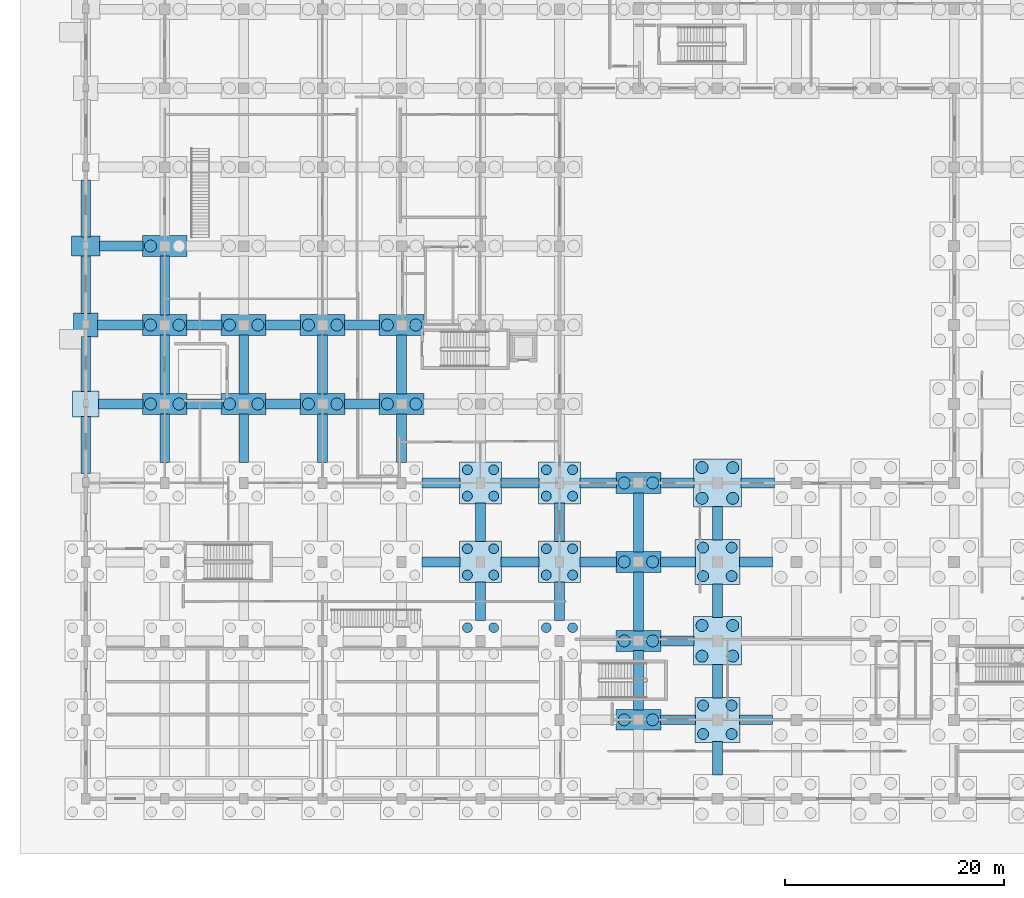
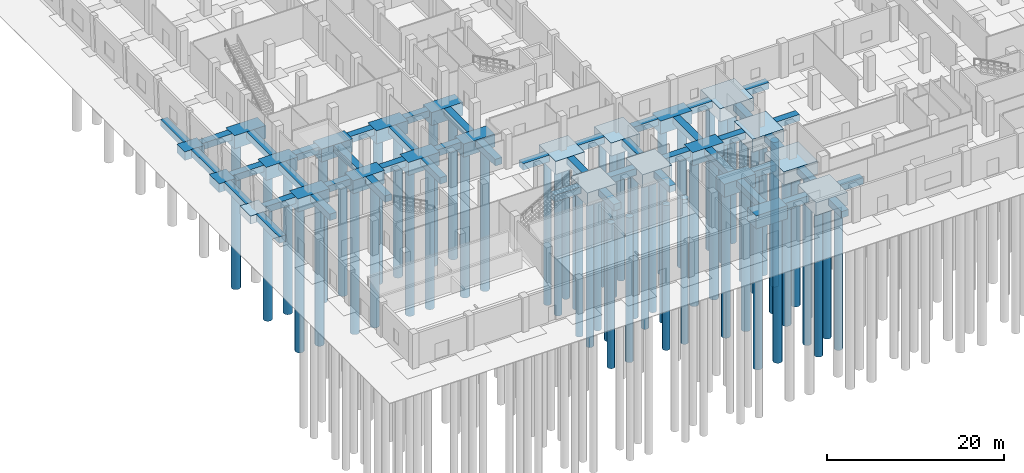
# One storey, part 2 of 48: 70 footings, 61 piles.
"""IFC4 building model written with IfcOpenShell, lengths in metres."""

import ifcopenshell
import ifcopenshell.guid

model = None  # the IFC model being written
_history = None  # IfcOwnerHistory: only IFC2X3 demands one
_inside = {}  # id of a spatial element -> (the spatial element, [elements in it])
_under = {}  # id of a project, library or spatial element -> (it, [spatial elements below it])
_declared = {}  # id of a project -> (the project, [libraries it declares])
_typed = {}  # id of a type object -> (the type object, [elements of that type])
_made_of = {}  # id of a material, layer set ... -> (it, [elements and type objects made of it])


def new_model(schema):
    """Start an empty IFC model of exactly this schema.

    Asked for "IFC4X3", IfcOpenShell would pick the latest addendum, in which some entities
    have other attributes; the version numbers below select the first issue.
    IFC2X3 requires an IfcOwnerHistory on every rooted entity: one is made here for all.
    """
    global model, _history
    if schema == "IFC4X3":
        model = ifcopenshell.file(schema_version=(4, 3, 0, 0))
    else:
        model = ifcopenshell.file(schema=schema)
    _inside.clear()
    _under.clear()
    _declared.clear()
    _typed.clear()
    _made_of.clear()
    _history = None
    if model.schema == "IFC2X3":
        org = make("IfcOrganization", Name="unknown")
        user = make(
            "IfcPersonAndOrganization",
            ThePerson=make("IfcPerson", FamilyName="unknown"),
            TheOrganization=org,
        )
        app = make(
            "IfcApplication",
            ApplicationDeveloper=org,
            Version="unknown",
            ApplicationFullName="unknown",
            ApplicationIdentifier="unknown",
        )
        _history = make(
            "IfcOwnerHistory",
            OwningUser=user,
            OwningApplication=app,
            ChangeAction="ADDED",
            CreationDate=0,
        )
    return model


def make(cls, **values):
    """One entity of the class cls with the attributes given. An attribute that is None is left unset."""
    return model.create_entity(
        cls, **{name: value for name, value in values.items() if value is not None}
    )


def rooted(cls, **values):
    """An entity with a GlobalId (a new one), such as an element, a storey or a relation."""
    return make(cls, GlobalId=ifcopenshell.guid.new(), OwnerHistory=_history, **values)


def si_unit(unit_type, name, prefix=None):
    """IfcSIUnit, for example si_unit("LENGTHUNIT", "METRE", prefix="MILLI")."""
    return make("IfcSIUnit", UnitType=unit_type, Prefix=prefix, Name=name)


def assignment(units):
    """IfcUnitAssignment: the units of a project."""
    return None if units is None else make("IfcUnitAssignment", Units=units)


def point(xyz):
    """IfcCartesianPoint."""
    return None if xyz is None else make("IfcCartesianPoint", Coordinates=xyz)


def direction(xyz):
    """IfcDirection."""
    return None if xyz is None else make("IfcDirection", DirectionRatios=xyz)


def frame(location, z_axis=None, x_axis=None):
    """IfcAxis2Placement3D, a coordinate frame: its origin and axes. An axis left out is left unset."""
    return make(
        "IfcAxis2Placement3D",
        Location=point(location),
        Axis=direction(z_axis),
        RefDirection=direction(x_axis),
    )


def frame_2d(location, x_axis=None):
    """IfcAxis2Placement2D, a coordinate frame in the plane: its origin and x axis."""
    return make(
        "IfcAxis2Placement2D", Location=point(location), RefDirection=direction(x_axis)
    )


def origin():
    """The frame at (0, 0, 0) with its axes left unset."""
    return frame((0.0, 0.0, 0.0))


def origin_2d():
    """The frame at (0, 0) in the plane with its x axis left unset."""
    return frame_2d((0.0, 0.0))


def place(relative_to, where):
    """IfcLocalPlacement: puts the frame where relative to a parent placement (None: the world)."""
    return make(
        "IfcLocalPlacement", PlacementRelTo=relative_to, RelativePlacement=where
    )


def context(
    kind, dimensions, precision=None, world=None, true_north=None, identifier=None
):
    """IfcGeometricRepresentationContext, for example the 3D "Model" context."""
    return make(
        "IfcGeometricRepresentationContext",
        ContextIdentifier=identifier,
        ContextType=kind,
        CoordinateSpaceDimension=dimensions,
        Precision=precision,
        WorldCoordinateSystem=world,
        TrueNorth=true_north,
    )


def subcontext(parent, identifier, kind, view, scale=None):
    """IfcGeometricRepresentationSubContext, for example "Body" below "Model"."""
    return make(
        "IfcGeometricRepresentationSubContext",
        ContextIdentifier=identifier,
        ContextType=kind,
        ParentContext=parent,
        TargetScale=scale,
        TargetView=view,
    )


def project(units=None, contexts=None):
    """IfcProject with its units and contexts."""
    return rooted(
        "IfcProject",
        Name="project",
        RepresentationContexts=contexts,
        UnitsInContext=assignment(units),
    )


def spatial(cls, under=None, at=None, **own):
    """A site, building, storey or space (cls), placed at a placement, below another one or the project."""
    s = rooted(cls, ObjectPlacement=at, **own)
    if under is not None:
        _under.setdefault(under.id(), (under, []))[1].append(s)
    return s


def profile(cls, at=None, kind="AREA", **sizes):
    """A parametric profile (cls). Its sizes go by their IFC names, for example OverallWidth=200.0."""
    return make(cls, ProfileType=kind, Position=at, **sizes)


def rectangle(**sizes):
    """IfcRectangleProfileDef."""
    return profile("IfcRectangleProfileDef", **sizes)


def circle(**sizes):
    """IfcCircleProfileDef."""
    return profile("IfcCircleProfileDef", **sizes)


def extrude(swept, where, along, depth):
    """IfcExtrudedAreaSolid: the profile swept, set in the frame where, extruded along a direction by depth."""
    return make(
        "IfcExtrudedAreaSolid",
        SweptArea=swept,
        Position=where,
        ExtrudedDirection=direction(along),
        Depth=depth,
    )


def shape(context_of_items, identifier, shape_type, items):
    """IfcShapeRepresentation: the items that make up one representation, for example the "Body"."""
    return make(
        "IfcShapeRepresentation",
        ContextOfItems=context_of_items,
        RepresentationIdentifier=identifier,
        RepresentationType=shape_type,
        Items=items,
    )


def material(Name=None, Category=None):
    """IfcMaterial."""
    return make("IfcMaterial", Name=Name, Category=Category)


def material_profile(
    of_material, cross_section, Name=None, Category=None, Priority=None
):
    """IfcMaterialProfile: a cross section and its material."""
    return make(
        "IfcMaterialProfile",
        Name=Name,
        Material=of_material,
        Profile=cross_section,
        Priority=Priority,
        Category=Category,
    )


def profile_set(profiles, Name=None, composite=None):
    """IfcMaterialProfileSet."""
    return make(
        "IfcMaterialProfileSet",
        Name=Name,
        MaterialProfiles=profiles,
        CompositeProfile=composite,
    )


def made_of(thing, what):
    """Note that an element or type object is made of a material, layer set ...; save() writes the relation."""
    if what is not None:
        _made_of.setdefault(what.id(), (what, []))[1].append(thing)
    return thing


def type_object(cls, material=None, **own):
    """A type object (cls), such as IfcWallType, which elements share."""
    return made_of(rooted(cls, **own), material)


def element(
    cls,
    number,
    at=None,
    inside=None,
    cuts=None,
    type_object=None,
    material=None,
    context=None,
    identifier="Body",
    shape_type=None,
    held_by="IfcProductDefinitionShape",
    body=None,
    shapes=None,
    **own,
):
    """One element of the class cls, such as IfcWall. Its Tag is "e" and its number.

    at: its placement. inside: the storey or other place that contains it. cuts: it is an
    opening in that element (IfcRelVoidsElement). A single representation is given by context,
    identifier, shape_type and body (its items); several are given by shapes. held_by: the class
    of the entity that holds the representations. save() writes the other relations.
    """
    e = rooted(cls, Tag="e%d" % number, ObjectPlacement=at, **own)
    if body is not None:
        shapes = [shape(context, identifier, shape_type, body)]
    if shapes is not None:
        e.Representation = make(held_by, Representations=shapes)
    if inside is not None:
        _inside.setdefault(inside.id(), (inside, []))[1].append(e)
    if cuts is not None:
        rooted(
            "IfcRelVoidsElement", RelatingBuildingElement=cuts, RelatedOpeningElement=e
        )
    if type_object is not None:
        _typed.setdefault(type_object.id(), (type_object, []))[1].append(e)
    return made_of(e, material)


def aggregate(whole, parts):
    """IfcRelAggregates: a whole, such as a stair, and the parts it consists of."""
    return rooted("IfcRelAggregates", RelatingObject=whole, RelatedObjects=parts)


def save(model, path):
    """Write the relations noted so far, then the file.

    IfcRelAggregates (storeys below a building ...), IfcRelContainedInSpatialStructure (elements
    in a storey), IfcRelDefinesByType, IfcRelAssociatesMaterial and IfcRelDeclares: one each for
    every whole, place, type object, material and project.
    """
    for whole, parts in _under.values():
        aggregate(whole, parts)
    for where, things in _inside.values():
        rooted(
            "IfcRelContainedInSpatialStructure",
            RelatedElements=things,
            RelatingStructure=where,
        )
    for kind, things in _typed.values():
        rooted("IfcRelDefinesByType", RelatedObjects=things, RelatingType=kind)
    for what, things in _made_of.values():
        rooted("IfcRelAssociatesMaterial", RelatedObjects=things, RelatingMaterial=what)
    for by, libraries in _declared.values():
        rooted("IfcRelDeclares", RelatingContext=by, RelatedDefinitions=libraries)
    model.write(path)


model = new_model("IFC4")

# Units and contexts
model_context = context("Model", 3, precision=1e-05, world=origin(), true_north=direction((0.0, 1.0)))
body_context = subcontext(model_context, "Body", "Model", "MODEL_VIEW")
ifc_project = project(units=[si_unit("LENGTHUNIT", "METRE"), si_unit("AREAUNIT", "SQUARE_METRE"), si_unit("VOLUMEUNIT", "CUBIC_METRE"), si_unit("PLANEANGLEUNIT", "RADIAN"), si_unit("MASSUNIT", "GRAM", prefix="KILO")], contexts=[model_context])

# Site, building, storey
site_placement = place(None, origin())
site = spatial("IfcSite", under=ifc_project, at=site_placement, CompositionType="ELEMENT")
building_placement = place(site_placement, origin())
building = spatial("IfcBuilding", under=site, at=building_placement, Name="Seraya Terrace Polytechnic", CompositionType="ELEMENT")
storey_placement = place(building_placement, origin())
storey = spatial("IfcBuildingStorey", under=building, at=storey_placement, Name="L00", CompositionType="ELEMENT", Elevation=0.0)

# Piles
ifc_material = material(Name="Concrete C40/50", Category="concrete")
ifc_material_profile_1 = material_profile(ifc_material, circle(Radius=0.449951171875, at=origin_2d()), Name="DIA 900")
ifc_profile_set_1 = profile_set([ifc_material_profile_1], Name="Concrete C40/50")
pile_type_1 = type_object("IfcPileType", Name="BP-02", PredefinedType="BORED", material=ifc_profile_set_1)
for number, where, z_axis, x_axis, name in (
    (1, (34.800048828125, 15.60009765625, -1.699951171875), (0.0, 0.0, -1.0), (1.0, 0.0, 0.0), "Bored pile BP-02 0360_0144-3"),
    (2, (37.199951171875, 15.60009765625, -1.699951171875), (0.0, 0.0, -1.0), (1.0, 0.0, 0.0), "Bored pile BP-02 0360_0144-4"),
    (3, (34.800048828125, 20.39990234375, -1.699951171875), (0.0, 0.0, -1.0), (1.0, 0.0, 0.0), "Bored pile BP-02 0360_0216-1"),
    (4, (37.199951171875, 20.39990234375, -1.699951171875), (0.0, 0.0, -1.0), (1.0, 0.0, 0.0), "Bored pile BP-02 0360_0216-2"),
    (5, (34.800048828125, 22.800048828125, -1.699951171875), (0.0, 0.0, -1.0), (1.0, 0.0, 0.0), "Bored pile BP-02 0360_0216-3"),
    (6, (37.199951171875, 22.800048828125, -1.699951171875), (0.0, 0.0, -1.0), (1.0, 0.0, 0.0), "Bored pile BP-02 0360_0216-4"),
    (7, (34.800048828125, 27.60009765625, -1.699951171875), (0.0, 0.0, -1.0), (1.0, 0.0, 0.0), "Bored pile BP-02 0360_0288-1"),
    (8, (37.199951171875, 27.60009765625, -1.699951171875), (0.0, 0.0, -1.0), (1.0, 0.0, 0.0), "Bored pile BP-02 0360_0288-2"),
    (9, (34.800048828125, 30.0, -1.699951171875), (0.0, 0.0, -1.0), (1.0, 0.0, 0.0), "Bored pile BP-02 0360_0288-3"),
    (10, (37.199951171875, 30.0, -1.699951171875), (0.0, 0.0, -1.0), (1.0, 0.0, 0.0), "Bored pile BP-02 0360_0288-4"),
    (11, (42.0, 15.60009765625, -1.699951171875), (0.0, 0.0, -1.0), (1.0, 0.0, 0.0), "Bored pile BP-02 0432_0144-3"),
    (12, (44.39990234375, 15.60009765625, -1.699951171875), (0.0, 0.0, -1.0), (1.0, 0.0, 0.0), "Bored pile BP-02 0432_0144-4"),
    (13, (42.0, 20.39990234375, -1.699951171875), (0.0, 0.0, -1.0), (1.0, 0.0, 0.0), "Bored pile BP-02 0432_0216-1"),
    (14, (44.39990234375, 20.39990234375, -1.699951171875), (0.0, 0.0, -1.0), (1.0, 0.0, 0.0), "Bored pile BP-02 0432_0216-2"),
    (15, (42.0, 22.800048828125, -1.699951171875), (0.0, 0.0, -1.0), (1.0, 0.0, 0.0), "Bored pile BP-02 0432_0216-3"),
    (16, (44.39990234375, 22.800048828125, -1.699951171875), (0.0, 0.0, -1.0), (1.0, 0.0, 0.0), "Bored pile BP-02 0432_0216-4"),
    (17, (42.0, 27.60009765625, -1.699951171875), (0.0, 0.0, -1.0), (1.0, 0.0, 0.0), "Bored pile BP-02 0432_0288-1"),
    (18, (44.39990234375, 27.60009765625, -1.699951171875), (0.0, 0.0, -1.0), (1.0, 0.0, 0.0), "Bored pile BP-02 0432_0288-2"),
    (19, (42.0, 30.0, -1.699951171875), (0.0, 0.0, -1.0), (1.0, 0.0, 0.0), "Bored pile BP-02 0432_0288-3"),
    (20, (44.39990234375, 30.0, -1.699951171875), (0.0, 0.0, -1.0), (1.0, 0.0, 0.0), "Bored pile BP-02 0432_0288-4"),
):
    element("IfcPile", number, at=place(storey_placement, frame(where, z_axis=z_axis, x_axis=x_axis)), inside=storey, type_object=pile_type_1, Name=name, PredefinedType="BORED", context=body_context, shape_type="SweptSolid", body=[
        extrude(circle(Radius=0.449951171875, at=origin_2d()), origin(), (0.0, 0.0, 1.0), 20.0),
    ])
ifc_material_profile_2 = material_profile(ifc_material, circle(Radius=0.5, at=origin_2d()), Name="DIA 1000")
ifc_profile_set_2 = profile_set([ifc_material_profile_2], Name="Concrete C40/50")
pile_type_2 = type_object("IfcPileType", Name="BP-03", PredefinedType="BORED", material=ifc_profile_set_2)
for number, where, z_axis, x_axis, name in (
    (21, (56.300048828125, 5.89990234375, -1.699951171875), (0.0, 0.0, -1.0), (1.0, 0.0, 0.0), "Bored pile BP-03 0576_0072-1"),
    (22, (58.89990234375, 5.89990234375, -1.699951171875), (0.0, 0.0, -1.0), (1.0, 0.0, 0.0), "Bored pile BP-03 0576_0072-2"),
    (23, (56.300048828125, 8.5, -1.699951171875), (0.0, 0.0, -1.0), (1.0, 0.0, 0.0), "Bored pile BP-03 0576_0072-3"),
    (24, (58.89990234375, 8.5, -1.699951171875), (0.0, 0.0, -1.0), (1.0, 0.0, 0.0), "Bored pile BP-03 0576_0072-4"),
    (25, (56.300048828125, 20.300048828125, -1.699951171875), (0.0, 0.0, -1.0), (1.0, 0.0, 0.0), "Bored pile BP-03 0576_0216-1"),
    (26, (58.89990234375, 20.300048828125, -1.699951171875), (0.0, 0.0, -1.0), (1.0, 0.0, 0.0), "Bored pile BP-03 0576_0216-2"),
    (27, (56.300048828125, 22.89990234375, -1.699951171875), (0.0, 0.0, -1.0), (1.0, 0.0, 0.0), "Bored pile BP-03 0576_0216-3"),
    (28, (58.89990234375, 22.89990234375, -1.699951171875), (0.0, 0.0, -1.0), (1.0, 0.0, 0.0), "Bored pile BP-03 0576_0216-4"),
):
    element("IfcPile", number, at=place(storey_placement, frame(where, z_axis=z_axis, x_axis=x_axis)), inside=storey, type_object=pile_type_2, Name=name, PredefinedType="BORED", context=body_context, shape_type="SweptSolid", body=[
        extrude(circle(Radius=0.5, at=origin_2d()), origin(), (0.0, 0.0, 1.0), 20.0),
    ])
ifc_material_profile_3 = material_profile(ifc_material, circle(Radius=0.550048828125, at=origin_2d()), Name="DIA 1100")
ifc_profile_set_3 = profile_set([ifc_material_profile_3], Name="Concrete C40/50")
pile_type_3 = type_object("IfcPileType", Name="BP-04", PredefinedType="BORED", material=ifc_profile_set_3)
for number, where, z_axis, x_axis, name in (
    (29, (5.89990234375, 36.0, -1.699951171875), (0.0, 0.0, -1.0), (1.0, 0.0, 0.0), "Bored pile BP-04 0072_0360-1"),
    (30, (8.5, 36.0, -1.699951171875), (0.0, 0.0, -1.0), (1.0, 0.0, 0.0), "Bored pile BP-04 0072_0360-2"),
    (31, (5.89990234375, 43.199951171875, -1.699951171875), (0.0, 0.0, -1.0), (1.0, 0.0, 0.0), "Bored pile BP-04 0072_0432-1"),
    (32, (8.5, 43.199951171875, -1.699951171875), (0.0, 0.0, -1.0), (1.0, 0.0, 0.0), "Bored pile BP-04 0072_0432-2"),
    (33, (5.89990234375, 50.39990234375, -1.699951171875), (0.0, 0.0, -1.0), (1.0, 0.0, 0.0), "Bored pile BP-04 0072_0504-1"),
    (34, (13.10009765625, 36.0, -1.699951171875), (0.0, 0.0, -1.0), (1.0, 0.0, 0.0), "Bored pile BP-04 0144_0360-1"),
    (35, (15.699951171875, 36.0, -1.699951171875), (0.0, 0.0, -1.0), (1.0, 0.0, 0.0), "Bored pile BP-04 0144_0360-2"),
    (36, (13.10009765625, 43.199951171875, -1.699951171875), (0.0, 0.0, -1.0), (1.0, 0.0, 0.0), "Bored pile BP-04 0144_0432-1"),
    (37, (15.699951171875, 43.199951171875, -1.699951171875), (0.0, 0.0, -1.0), (1.0, 0.0, 0.0), "Bored pile BP-04 0144_0432-2"),
    (38, (20.300048828125, 36.0, -1.699951171875), (0.0, 0.0, -1.0), (1.0, 0.0, 0.0), "Bored pile BP-04 0216_0360-1"),
    (39, (22.89990234375, 36.0, -1.699951171875), (0.0, 0.0, -1.0), (1.0, 0.0, 0.0), "Bored pile BP-04 0216_0360-2"),
    (40, (20.300048828125, 43.199951171875, -1.699951171875), (0.0, 0.0, -1.0), (1.0, 0.0, 0.0), "Bored pile BP-04 0216_0432-1"),
    (41, (22.89990234375, 43.199951171875, -1.699951171875), (0.0, 0.0, -1.0), (1.0, 0.0, 0.0), "Bored pile BP-04 0216_0432-2"),
    (42, (27.5, 36.0, -1.699951171875), (0.0, 0.0, -1.0), (1.0, 0.0, 0.0), "Bored pile BP-04 0288_0360-1"),
    (43, (30.10009765625, 36.0, -1.699951171875), (0.0, 0.0, -1.0), (1.0, 0.0, 0.0), "Bored pile BP-04 0288_0360-2"),
    (44, (27.5, 43.199951171875, -1.699951171875), (0.0, 0.0, -1.0), (1.0, 0.0, 0.0), "Bored pile BP-04 0288_0432-1"),
    (45, (30.10009765625, 43.199951171875, -1.699951171875), (0.0, 0.0, -1.0), (1.0, 0.0, 0.0), "Bored pile BP-04 0288_0432-2"),
    (46, (49.10009765625, 7.199951171875, -1.699951171875), (0.0, 0.0, -1.0), (1.0, 0.0, 0.0), "Bored pile BP-04 0504_0072-1"),
    (47, (51.699951171875, 7.199951171875, -1.699951171875), (0.0, 0.0, -1.0), (1.0, 0.0, 0.0), "Bored pile BP-04 0504_0072-2"),
    (48, (49.10009765625, 14.39990234375, -1.699951171875), (0.0, 0.0, -1.0), (1.0, 0.0, 0.0), "Bored pile BP-04 0504_0144-1"),
    (49, (51.699951171875, 14.39990234375, -1.699951171875), (0.0, 0.0, -1.0), (1.0, 0.0, 0.0), "Bored pile BP-04 0504_0144-2"),
    (50, (49.10009765625, 21.60009765625, -1.699951171875), (0.0, 0.0, -1.0), (1.0, 0.0, 0.0), "Bored pile BP-04 0504_0216-1"),
    (51, (51.699951171875, 21.60009765625, -1.699951171875), (0.0, 0.0, -1.0), (1.0, 0.0, 0.0), "Bored pile BP-04 0504_0216-2"),
    (52, (49.10009765625, 28.800048828125, -1.699951171875), (0.0, 0.0, -1.0), (1.0, 0.0, 0.0), "Bored pile BP-04 0504_0288-1"),
    (53, (51.699951171875, 28.800048828125, -1.699951171875), (0.0, 0.0, -1.0), (1.0, 0.0, 0.0), "Bored pile BP-04 0504_0288-2"),
    (54, (56.199951171875, 13.0, -1.699951171875), (0.0, 0.0, -1.0), (1.0, 0.0, 0.0), "Bored pile BP-04 0576_0144-1"),
    (55, (59.0, 13.0, -1.699951171875), (0.0, 0.0, -1.0), (1.0, 0.0, 0.0), "Bored pile BP-04 0576_0144-2"),
    (56, (56.199951171875, 15.800048828125, -1.699951171875), (0.0, 0.0, -1.0), (1.0, 0.0, 0.0), "Bored pile BP-04 0576_0144-3"),
    (57, (59.0, 15.800048828125, -1.699951171875), (0.0, 0.0, -1.0), (1.0, 0.0, 0.0), "Bored pile BP-04 0576_0144-4"),
    (58, (56.199951171875, 27.39990234375, -1.699951171875), (0.0, 0.0, -1.0), (1.0, 0.0, 0.0), "Bored pile BP-04 0576_0288-1"),
    (59, (59.0, 27.39990234375, -1.699951171875), (0.0, 0.0, -1.0), (1.0, 0.0, 0.0), "Bored pile BP-04 0576_0288-2"),
    (60, (56.199951171875, 30.199951171875, -1.699951171875), (0.0, 0.0, -1.0), (1.0, 0.0, 0.0), "Bored pile BP-04 0576_0288-3"),
    (61, (59.0, 30.199951171875, -1.699951171875), (0.0, 0.0, -1.0), (1.0, 0.0, 0.0), "Bored pile BP-04 0576_0288-4"),
):
    element("IfcPile", number, at=place(storey_placement, frame(where, z_axis=z_axis, x_axis=x_axis)), inside=storey, type_object=pile_type_3, Name=name, PredefinedType="BORED", context=body_context, shape_type="SweptSolid", body=[
        extrude(circle(Radius=0.550048828125, at=origin_2d()), origin(), (0.0, 0.0, 1.0), 20.0),
    ])

# Footings
footing_type_1 = type_object("IfcFootingType", Name="FB-01", PredefinedType="FOOTING_BEAM", material=ifc_material)
footing_1_placement = place(storey_placement, frame((0.0, 32.25, -0.89990234375), z_axis=(0.0, 0.0, 1.0), x_axis=(0.0, 1.0, 0.0)))
element("IfcFooting", 62, at=footing_1_placement, inside=storey, type_object=footing_type_1, Name="Foundation tie beam FB-01 Y", PredefinedType="FOOTING_BEAM", context=body_context, shape_type="SweptSolid", body=[
    extrude(rectangle(XDim=5.199951171875, YDim=0.89990234375, at=origin_2d()), origin(), (0.0, 0.0, 1.0), 0.89990234375),
])
footing_2_placement = place(storey_placement, frame((3.175048828125, 36.0, -0.89990234375), z_axis=(0.0, 0.0, 1.0), x_axis=(1.0, 0.0, 0.0)))
element("IfcFooting", 63, at=footing_2_placement, inside=storey, type_object=footing_type_1, Name="Foundation tie beam FB-01 X", PredefinedType="FOOTING_BEAM", context=body_context, shape_type="SweptSolid", body=[
    extrude(rectangle(XDim=4.050048828125, YDim=0.89990234375, at=origin_2d()), origin(), (0.0, 0.0, 1.0), 0.89990234375),
])
footing_3_placement = place(storey_placement, frame((0.0, 39.64990234375, -0.89990234375), z_axis=(0.0, 0.0, 1.0), x_axis=(0.0, 1.0, 0.0)))
element("IfcFooting", 64, at=footing_3_placement, inside=storey, type_object=footing_type_1, Name="Foundation tie beam FB-01 Y", PredefinedType="FOOTING_BEAM", context=body_context, shape_type="SweptSolid", body=[
    extrude(rectangle(XDim=5.0, YDim=0.89990234375, at=origin_2d()), origin(), (0.0, 0.0, 1.0), 0.89990234375),
])
footing_4_placement = place(storey_placement, frame((3.125, 43.199951171875, -0.89990234375), z_axis=(0.0, 0.0, 1.0), x_axis=(1.0, 0.0, 0.0)))
element("IfcFooting", 65, at=footing_4_placement, inside=storey, type_object=footing_type_1, Name="Foundation tie beam FB-01 X", PredefinedType="FOOTING_BEAM", context=body_context, shape_type="SweptSolid", body=[
    extrude(rectangle(XDim=4.14990234375, YDim=0.89990234375, at=origin_2d()), origin(), (0.0, 0.0, 1.0), 0.89990234375),
])
footing_5_placement = place(storey_placement, frame((0.0, 46.89990234375, -0.89990234375), z_axis=(0.0, 0.0, 1.0), x_axis=(0.0, 1.0, 0.0)))
element("IfcFooting", 66, at=footing_5_placement, inside=storey, type_object=footing_type_1, Name="Foundation tie beam FB-01 Y", PredefinedType="FOOTING_BEAM", context=body_context, shape_type="SweptSolid", body=[
    extrude(rectangle(XDim=5.300048828125, YDim=0.89990234375, at=origin_2d()), origin(), (0.0, 0.0, 1.0), 0.89990234375),
])
footing_6_placement = place(storey_placement, frame((3.22509765625, 50.39990234375, -0.89990234375), z_axis=(0.0, 0.0, 1.0), x_axis=(1.0, 0.0, 0.0)))
element("IfcFooting", 67, at=footing_6_placement, inside=storey, type_object=footing_type_1, Name="Foundation tie beam FB-01 X", PredefinedType="FOOTING_BEAM", context=body_context, shape_type="SweptSolid", body=[
    extrude(rectangle(XDim=3.949951171875, YDim=0.89990234375, at=origin_2d()), origin(), (0.0, 0.0, 1.0), 0.89990234375),
])
footing_7_placement = place(storey_placement, frame((0.0, 53.85009765625, -0.89990234375), z_axis=(0.0, 0.0, 1.0), x_axis=(0.0, 1.0, 0.0)))
element("IfcFooting", 68, at=footing_7_placement, inside=storey, type_object=footing_type_1, Name="Foundation tie beam FB-01 Y", PredefinedType="FOOTING_BEAM", context=body_context, shape_type="SweptSolid", body=[
    extrude(rectangle(XDim=5.199951171875, YDim=0.89990234375, at=origin_2d()), origin(), (0.0, 0.0, 1.0), 0.89990234375),
])
footing_8_placement = place(storey_placement, frame((7.199951171875, 32.875, -0.89990234375), z_axis=(0.0, 0.0, 1.0), x_axis=(0.0, 1.0, 0.0)))
element("IfcFooting", 69, at=footing_8_placement, inside=storey, type_object=footing_type_1, Name="Foundation tie beam FB-01 Y", PredefinedType="FOOTING_BEAM", context=body_context, shape_type="SweptSolid", body=[
    extrude(rectangle(XDim=4.449951171875, YDim=0.89990234375, at=origin_2d()), origin(), (0.0, 0.0, 1.0), 0.89990234375),
])
footing_9_placement = place(storey_placement, frame((10.800048828125, 36.0, -0.89990234375), z_axis=(0.0, 0.0, 1.0), x_axis=(1.0, 0.0, 0.0)))
element("IfcFooting", 70, at=footing_9_placement, inside=storey, type_object=footing_type_1, Name="Foundation tie beam FB-01 X", PredefinedType="FOOTING_BEAM", context=body_context, shape_type="SweptSolid", body=[
    extrude(rectangle(XDim=3.199951171875, YDim=0.89990234375, at=origin_2d()), origin(), (0.0, 0.0, 1.0), 0.89990234375),
])
footing_10_placement = place(storey_placement, frame((7.199951171875, 39.60009765625, -0.89990234375), z_axis=(0.0, 0.0, 1.0), x_axis=(0.0, 1.0, 0.0)))
element("IfcFooting", 71, at=footing_10_placement, inside=storey, type_object=footing_type_1, Name="Foundation tie beam FB-01 Y", PredefinedType="FOOTING_BEAM", context=body_context, shape_type="SweptSolid", body=[
    extrude(rectangle(XDim=5.39990234375, YDim=0.89990234375, at=origin_2d()), origin(), (0.0, 0.0, 1.0), 0.89990234375),
])
footing_11_placement = place(storey_placement, frame((10.800048828125, 43.199951171875, -0.89990234375), z_axis=(0.0, 0.0, 1.0), x_axis=(1.0, 0.0, 0.0)))
element("IfcFooting", 72, at=footing_11_placement, inside=storey, type_object=footing_type_1, Name="Foundation tie beam FB-01 X", PredefinedType="FOOTING_BEAM", context=body_context, shape_type="SweptSolid", body=[
    extrude(rectangle(XDim=3.199951171875, YDim=0.89990234375, at=origin_2d()), origin(), (0.0, 0.0, 1.0), 0.89990234375),
])
footing_12_placement = place(storey_placement, frame((7.199951171875, 46.800048828125, -0.89990234375), z_axis=(0.0, 0.0, 1.0), x_axis=(0.0, 1.0, 0.0)))
element("IfcFooting", 73, at=footing_12_placement, inside=storey, type_object=footing_type_1, Name="Foundation tie beam FB-01 Y", PredefinedType="FOOTING_BEAM", context=body_context, shape_type="SweptSolid", body=[
    extrude(rectangle(XDim=5.39990234375, YDim=0.89990234375, at=origin_2d()), origin(), (0.0, 0.0, 1.0), 0.89990234375),
])
footing_13_placement = place(storey_placement, frame((14.39990234375, 32.875, -0.89990234375), z_axis=(0.0, 0.0, 1.0), x_axis=(0.0, 1.0, 0.0)))
element("IfcFooting", 74, at=footing_13_placement, inside=storey, type_object=footing_type_1, Name="Foundation tie beam FB-01 Y", PredefinedType="FOOTING_BEAM", context=body_context, shape_type="SweptSolid", body=[
    extrude(rectangle(XDim=4.449951171875, YDim=0.89990234375, at=origin_2d()), origin(), (0.0, 0.0, 1.0), 0.89990234375),
])
footing_14_placement = place(storey_placement, frame((18.0, 36.0, -0.89990234375), z_axis=(0.0, 0.0, 1.0), x_axis=(1.0, 0.0, 0.0)))
element("IfcFooting", 75, at=footing_14_placement, inside=storey, type_object=footing_type_1, Name="Foundation tie beam FB-01 X", PredefinedType="FOOTING_BEAM", context=body_context, shape_type="SweptSolid", body=[
    extrude(rectangle(XDim=3.199951171875, YDim=0.89990234375, at=origin_2d()), origin(), (0.0, 0.0, 1.0), 0.89990234375),
])
footing_15_placement = place(storey_placement, frame((14.39990234375, 39.60009765625, -0.89990234375), z_axis=(0.0, 0.0, 1.0), x_axis=(0.0, 1.0, 0.0)))
element("IfcFooting", 76, at=footing_15_placement, inside=storey, type_object=footing_type_1, Name="Foundation tie beam FB-01 Y", PredefinedType="FOOTING_BEAM", context=body_context, shape_type="SweptSolid", body=[
    extrude(rectangle(XDim=5.39990234375, YDim=0.89990234375, at=origin_2d()), origin(), (0.0, 0.0, 1.0), 0.89990234375),
])
footing_16_placement = place(storey_placement, frame((18.0, 43.199951171875, -0.89990234375), z_axis=(0.0, 0.0, 1.0), x_axis=(1.0, 0.0, 0.0)))
element("IfcFooting", 77, at=footing_16_placement, inside=storey, type_object=footing_type_1, Name="Foundation tie beam FB-01 X", PredefinedType="FOOTING_BEAM", context=body_context, shape_type="SweptSolid", body=[
    extrude(rectangle(XDim=3.199951171875, YDim=0.89990234375, at=origin_2d()), origin(), (0.0, 0.0, 1.0), 0.89990234375),
])
footing_17_placement = place(storey_placement, frame((21.60009765625, 32.875, -0.89990234375), z_axis=(0.0, 0.0, 1.0), x_axis=(0.0, 1.0, 0.0)))
element("IfcFooting", 78, at=footing_17_placement, inside=storey, type_object=footing_type_1, Name="Foundation tie beam FB-01 Y", PredefinedType="FOOTING_BEAM", context=body_context, shape_type="SweptSolid", body=[
    extrude(rectangle(XDim=4.449951171875, YDim=0.89990234375, at=origin_2d()), origin(), (0.0, 0.0, 1.0), 0.89990234375),
])
footing_18_placement = place(storey_placement, frame((25.199951171875, 36.0, -0.89990234375), z_axis=(0.0, 0.0, 1.0), x_axis=(1.0, 0.0, 0.0)))
element("IfcFooting", 79, at=footing_18_placement, inside=storey, type_object=footing_type_1, Name="Foundation tie beam FB-01 X", PredefinedType="FOOTING_BEAM", context=body_context, shape_type="SweptSolid", body=[
    extrude(rectangle(XDim=3.199951171875, YDim=0.89990234375, at=origin_2d()), origin(), (0.0, 0.0, 1.0), 0.89990234375),
])
footing_19_placement = place(storey_placement, frame((21.60009765625, 39.60009765625, -0.89990234375), z_axis=(0.0, 0.0, 1.0), x_axis=(0.0, 1.0, 0.0)))
element("IfcFooting", 80, at=footing_19_placement, inside=storey, type_object=footing_type_1, Name="Foundation tie beam FB-01 Y", PredefinedType="FOOTING_BEAM", context=body_context, shape_type="SweptSolid", body=[
    extrude(rectangle(XDim=5.39990234375, YDim=0.89990234375, at=origin_2d()), origin(), (0.0, 0.0, 1.0), 0.89990234375),
])
footing_20_placement = place(storey_placement, frame((25.199951171875, 43.199951171875, -0.89990234375), z_axis=(0.0, 0.0, 1.0), x_axis=(1.0, 0.0, 0.0)))
element("IfcFooting", 81, at=footing_20_placement, inside=storey, type_object=footing_type_1, Name="Foundation tie beam FB-01 X", PredefinedType="FOOTING_BEAM", context=body_context, shape_type="SweptSolid", body=[
    extrude(rectangle(XDim=3.199951171875, YDim=0.89990234375, at=origin_2d()), origin(), (0.0, 0.0, 1.0), 0.89990234375),
])
for number, where, z_axis, x_axis, name in (
    (82, (32.39990234375, 21.60009765625, -0.89990234375), (0.0, 0.0, 1.0), (1.0, 0.0, 0.0), "Foundation tie beam FB-01 X"),
    (83, (32.39990234375, 28.800048828125, -0.89990234375), (0.0, 0.0, 1.0), (1.0, 0.0, 0.0), "Foundation tie beam FB-01 X"),
):
    element("IfcFooting", number, at=place(storey_placement, frame(where, z_axis=z_axis, x_axis=x_axis)), inside=storey, type_object=footing_type_1, Name=name, PredefinedType="FOOTING_BEAM", context=body_context, shape_type="SweptSolid", body=[
        extrude(rectangle(XDim=3.5, YDim=0.89990234375, at=origin_2d()), origin(), (0.0, 0.0, 1.0), 0.89990234375),
    ])
footing_21_placement = place(storey_placement, frame((28.800048828125, 32.875, -0.89990234375), z_axis=(0.0, 0.0, 1.0), x_axis=(0.0, 1.0, 0.0)))
element("IfcFooting", 84, at=footing_21_placement, inside=storey, type_object=footing_type_1, Name="Foundation tie beam FB-01 Y", PredefinedType="FOOTING_BEAM", context=body_context, shape_type="SweptSolid", body=[
    extrude(rectangle(XDim=4.449951171875, YDim=0.89990234375, at=origin_2d()), origin(), (0.0, 0.0, 1.0), 0.89990234375),
])
footing_22_placement = place(storey_placement, frame((28.800048828125, 39.60009765625, -0.89990234375), z_axis=(0.0, 0.0, 1.0), x_axis=(0.0, 1.0, 0.0)))
element("IfcFooting", 85, at=footing_22_placement, inside=storey, type_object=footing_type_1, Name="Foundation tie beam FB-01 Y", PredefinedType="FOOTING_BEAM", context=body_context, shape_type="SweptSolid", body=[
    extrude(rectangle(XDim=5.39990234375, YDim=0.89990234375, at=origin_2d()), origin(), (0.0, 0.0, 1.0), 0.89990234375),
])
for number, where, z_axis, x_axis, name in (
    (86, (36.0, 18.0, -0.89990234375), (0.0, 0.0, 1.0), (0.0, 1.0, 0.0), "Foundation tie beam FB-01 Y"),
    (87, (39.60009765625, 21.60009765625, -0.89990234375), (0.0, 0.0, 1.0), (1.0, 0.0, 0.0), "Foundation tie beam FB-01 X"),
    (88, (36.0, 25.199951171875, -0.89990234375), (0.0, 0.0, 1.0), (0.0, 1.0, 0.0), "Foundation tie beam FB-01 Y"),
    (89, (39.60009765625, 28.800048828125, -0.89990234375), (0.0, 0.0, 1.0), (1.0, 0.0, 0.0), "Foundation tie beam FB-01 X"),
    (90, (43.199951171875, 18.0, -0.89990234375), (0.0, 0.0, 1.0), (0.0, 1.0, 0.0), "Foundation tie beam FB-01 Y"),
):
    element("IfcFooting", number, at=place(storey_placement, frame(where, z_axis=z_axis, x_axis=x_axis)), inside=storey, type_object=footing_type_1, Name=name, PredefinedType="FOOTING_BEAM", context=body_context, shape_type="SweptSolid", body=[
        extrude(rectangle(XDim=3.5, YDim=0.89990234375, at=origin_2d()), origin(), (0.0, 0.0, 1.0), 0.89990234375),
    ])
footing_23_placement = place(storey_placement, frame((46.72509765625, 21.60009765625, -0.89990234375), z_axis=(0.0, 0.0, 1.0), x_axis=(1.0, 0.0, 0.0)))
element("IfcFooting", 91, at=footing_23_placement, inside=storey, type_object=footing_type_1, Name="Foundation tie beam FB-01 X", PredefinedType="FOOTING_BEAM", context=body_context, shape_type="SweptSolid", body=[
    extrude(rectangle(XDim=3.35009765625, YDim=0.89990234375, at=origin_2d()), origin(), (0.0, 0.0, 1.0), 0.89990234375),
])
footing_24_placement = place(storey_placement, frame((43.199951171875, 25.199951171875, -0.89990234375), z_axis=(0.0, 0.0, 1.0), x_axis=(0.0, 1.0, 0.0)))
element("IfcFooting", 92, at=footing_24_placement, inside=storey, type_object=footing_type_1, Name="Foundation tie beam FB-01 Y", PredefinedType="FOOTING_BEAM", context=body_context, shape_type="SweptSolid", body=[
    extrude(rectangle(XDim=3.5, YDim=0.89990234375, at=origin_2d()), origin(), (0.0, 0.0, 1.0), 0.89990234375),
])
footing_25_placement = place(storey_placement, frame((46.72509765625, 28.800048828125, -0.89990234375), z_axis=(0.0, 0.0, 1.0), x_axis=(1.0, 0.0, 0.0)))
element("IfcFooting", 93, at=footing_25_placement, inside=storey, type_object=footing_type_1, Name="Foundation tie beam FB-01 X", PredefinedType="FOOTING_BEAM", context=body_context, shape_type="SweptSolid", body=[
    extrude(rectangle(XDim=3.35009765625, YDim=0.89990234375, at=origin_2d()), origin(), (0.0, 0.0, 1.0), 0.89990234375),
])
footing_26_placement = place(storey_placement, frame((54.0, 7.199951171875, -0.89990234375), z_axis=(0.0, 0.0, 1.0), x_axis=(1.0, 0.0, 0.0)))
element("IfcFooting", 94, at=footing_26_placement, inside=storey, type_object=footing_type_1, Name="Foundation tie beam FB-01 X", PredefinedType="FOOTING_BEAM", context=body_context, shape_type="SweptSolid", body=[
    extrude(rectangle(XDim=3.199951171875, YDim=0.89990234375, at=origin_2d()), origin(), (0.0, 0.0, 1.0), 0.89990234375),
])
footing_27_placement = place(storey_placement, frame((50.39990234375, 10.800048828125, -0.89990234375), z_axis=(0.0, 0.0, 1.0), x_axis=(0.0, 1.0, 0.0)))
element("IfcFooting", 95, at=footing_27_placement, inside=storey, type_object=footing_type_1, Name="Foundation tie beam FB-01 Y", PredefinedType="FOOTING_BEAM", context=body_context, shape_type="SweptSolid", body=[
    extrude(rectangle(XDim=5.39990234375, YDim=0.89990234375, at=origin_2d()), origin(), (0.0, 0.0, 1.0), 0.89990234375),
])
footing_28_placement = place(storey_placement, frame((53.925048828125, 14.39990234375, -0.89990234375), z_axis=(0.0, 0.0, 1.0), x_axis=(1.0, 0.0, 0.0)))
element("IfcFooting", 96, at=footing_28_placement, inside=storey, type_object=footing_type_1, Name="Foundation tie beam FB-01 X", PredefinedType="FOOTING_BEAM", context=body_context, shape_type="SweptSolid", body=[
    extrude(rectangle(XDim=3.050048828125, YDim=0.89990234375, at=origin_2d()), origin(), (0.0, 0.0, 1.0), 0.89990234375),
])
footing_29_placement = place(storey_placement, frame((50.39990234375, 18.0, -0.89990234375), z_axis=(0.0, 0.0, 1.0), x_axis=(0.0, 1.0, 0.0)))
element("IfcFooting", 97, at=footing_29_placement, inside=storey, type_object=footing_type_1, Name="Foundation tie beam FB-01 Y", PredefinedType="FOOTING_BEAM", context=body_context, shape_type="SweptSolid", body=[
    extrude(rectangle(XDim=5.39990234375, YDim=0.89990234375, at=origin_2d()), origin(), (0.0, 0.0, 1.0), 0.89990234375),
])
footing_30_placement = place(storey_placement, frame((54.0, 21.60009765625, -0.89990234375), z_axis=(0.0, 0.0, 1.0), x_axis=(1.0, 0.0, 0.0)))
element("IfcFooting", 98, at=footing_30_placement, inside=storey, type_object=footing_type_1, Name="Foundation tie beam FB-01 X", PredefinedType="FOOTING_BEAM", context=body_context, shape_type="SweptSolid", body=[
    extrude(rectangle(XDim=3.199951171875, YDim=0.89990234375, at=origin_2d()), origin(), (0.0, 0.0, 1.0), 0.89990234375),
])
footing_31_placement = place(storey_placement, frame((50.39990234375, 25.199951171875, -0.89990234375), z_axis=(0.0, 0.0, 1.0), x_axis=(0.0, 1.0, 0.0)))
element("IfcFooting", 99, at=footing_31_placement, inside=storey, type_object=footing_type_1, Name="Foundation tie beam FB-01 Y", PredefinedType="FOOTING_BEAM", context=body_context, shape_type="SweptSolid", body=[
    extrude(rectangle(XDim=5.39990234375, YDim=0.89990234375, at=origin_2d()), origin(), (0.0, 0.0, 1.0), 0.89990234375),
])
for number, where, z_axis, x_axis, name in (
    (100, (53.925048828125, 28.800048828125, -0.89990234375), (0.0, 0.0, 1.0), (1.0, 0.0, 0.0), "Foundation tie beam FB-01 X"),
    (101, (57.60009765625, 3.675048828125, -0.89990234375), (0.0, 0.0, 1.0), (0.0, 1.0, 0.0), "Foundation tie beam FB-01 Y"),
    (102, (61.125, 7.199951171875, -0.89990234375), (0.0, 0.0, 1.0), (1.0, 0.0, 0.0), "Foundation tie beam FB-01 X"),
    (103, (57.60009765625, 10.72509765625, -0.89990234375), (0.0, 0.0, 1.0), (0.0, 1.0, 0.0), "Foundation tie beam FB-01 Y"),
    (104, (57.60009765625, 18.074951171875, -0.89990234375), (0.0, 0.0, 1.0), (0.0, 1.0, 0.0), "Foundation tie beam FB-01 Y"),
    (105, (61.125, 21.60009765625, -0.89990234375), (0.0, 0.0, 1.0), (1.0, 0.0, 0.0), "Foundation tie beam FB-01 X"),
    (106, (57.60009765625, 25.125, -0.89990234375), (0.0, 0.0, 1.0), (0.0, 1.0, 0.0), "Foundation tie beam FB-01 Y"),
    (107, (61.27490234375, 28.800048828125, -0.89990234375), (0.0, 0.0, 1.0), (1.0, 0.0, 0.0), "Foundation tie beam FB-01 X"),
):
    element("IfcFooting", number, at=place(storey_placement, frame(where, z_axis=z_axis, x_axis=x_axis)), inside=storey, type_object=footing_type_1, Name=name, PredefinedType="FOOTING_BEAM", context=body_context, shape_type="SweptSolid", body=[
        extrude(rectangle(XDim=3.050048828125, YDim=0.89990234375, at=origin_2d()), origin(), (0.0, 0.0, 1.0), 0.89990234375),
    ])
footing_type_2 = type_object("IfcFootingType", Name="PC-05", PredefinedType="PILE_CAP", material=ifc_material)
for number, where, z_axis, x_axis, name in (
    (108, (7.199951171875, 36.0, -1.7998046875), (0.0, 0.0, 1.0), (1.0, 0.0, 0.0), "Pile cap PC-05 at (7.2, 36.0)"),
    (109, (7.199951171875, 43.199951171875, -1.7998046875), (0.0, 0.0, 1.0), (1.0, 0.0, 0.0), "Pile cap PC-05 at (7.2, 43.2)"),
    (110, (7.199951171875, 50.39990234375, -1.7998046875), (0.0, 0.0, 1.0), (1.0, 0.0, 0.0), "Pile cap PC-05 at (7.2, 50.4)"),
    (111, (14.39990234375, 36.0, -1.7998046875), (0.0, 0.0, 1.0), (1.0, 0.0, 0.0), "Pile cap PC-05 at (14.4, 36.0)"),
    (112, (14.39990234375, 43.199951171875, -1.7998046875), (0.0, 0.0, 1.0), (1.0, 0.0, 0.0), "Pile cap PC-05 at (14.4, 43.2)"),
    (113, (21.60009765625, 36.0, -1.7998046875), (0.0, 0.0, 1.0), (1.0, 0.0, 0.0), "Pile cap PC-05 at (21.6, 36.0)"),
    (114, (21.60009765625, 43.199951171875, -1.7998046875), (0.0, 0.0, 1.0), (1.0, 0.0, 0.0), "Pile cap PC-05 at (21.6, 43.2)"),
    (115, (28.800048828125, 36.0, -1.7998046875), (0.0, 0.0, 1.0), (1.0, 0.0, 0.0), "Pile cap PC-05 at (28.8, 36.0)"),
    (116, (28.800048828125, 43.199951171875, -1.7998046875), (0.0, 0.0, 1.0), (1.0, 0.0, 0.0), "Pile cap PC-05 at (28.8, 43.2)"),
    (117, (50.39990234375, 7.199951171875, -1.7998046875), (0.0, 0.0, 1.0), (1.0, 0.0, 0.0), "Pile cap PC-05 at (50.4, 7.2)"),
    (118, (50.39990234375, 14.39990234375, -1.7998046875), (0.0, 0.0, 1.0), (1.0, 0.0, 0.0), "Pile cap PC-05 at (50.4, 14.4)"),
    (119, (50.39990234375, 21.60009765625, -1.7998046875), (0.0, 0.0, 1.0), (1.0, 0.0, 0.0), "Pile cap PC-05 at (50.4, 21.6)"),
    (120, (50.39990234375, 28.800048828125, -1.7998046875), (0.0, 0.0, 1.0), (1.0, 0.0, 0.0), "Pile cap PC-05 at (50.4, 28.8)"),
):
    element("IfcFooting", number, at=place(storey_placement, frame(where, z_axis=z_axis, x_axis=x_axis)), inside=storey, type_object=footing_type_2, Name=name, PredefinedType="PILE_CAP", context=body_context, shape_type="SweptSolid", body=[
        extrude(rectangle(XDim=4.10009765625, YDim=1.89990234375, at=origin_2d()), origin(), (0.0, 0.0, 1.0), 1.800048828125),
    ])
footing_type_3 = type_object("IfcFootingType", Name="PC-06", PredefinedType="PILE_CAP", material=ifc_material)
for number, where, z_axis, x_axis, name in (
    (121, (36.0, 21.60009765625, -1.7998046875), (0.0, 0.0, 1.0), (1.0, 0.0, 0.0), "Pile cap PC-06 at (36.0, 21.6)"),
    (122, (36.0, 28.800048828125, -1.7998046875), (0.0, 0.0, 1.0), (1.0, 0.0, 0.0), "Pile cap PC-06 at (36.0, 28.8)"),
    (123, (43.199951171875, 21.60009765625, -1.7998046875), (0.0, 0.0, 1.0), (1.0, 0.0, 0.0), "Pile cap PC-06 at (43.2, 21.6)"),
    (124, (43.199951171875, 28.800048828125, -1.7998046875), (0.0, 0.0, 1.0), (1.0, 0.0, 0.0), "Pile cap PC-06 at (43.2, 28.8)"),
):
    element("IfcFooting", number, at=place(storey_placement, frame(where, z_axis=z_axis, x_axis=x_axis)), inside=storey, type_object=footing_type_3, Name=name, PredefinedType="PILE_CAP", context=body_context, shape_type="SweptSolid", body=[
        extrude(rectangle(XDim=3.800048828125, YDim=3.800048828125, at=origin_2d()), origin(), (0.0, 0.0, 1.0), 1.800048828125),
    ])
footing_type_4 = type_object("IfcFootingType", Name="PC-07", PredefinedType="PILE_CAP", material=ifc_material)
for number, where, z_axis, x_axis, name in (
    (125, (57.60009765625, 7.199951171875, -1.7998046875), (0.0, 0.0, 1.0), (1.0, 0.0, 0.0), "Pile cap PC-07 at (57.6, 7.2)"),
    (126, (57.60009765625, 21.60009765625, -1.7998046875), (0.0, 0.0, 1.0), (1.0, 0.0, 0.0), "Pile cap PC-07 at (57.6, 21.6)"),
):
    element("IfcFooting", number, at=place(storey_placement, frame(where, z_axis=z_axis, x_axis=x_axis)), inside=storey, type_object=footing_type_4, Name=name, PredefinedType="PILE_CAP", context=body_context, shape_type="SweptSolid", body=[
        extrude(rectangle(XDim=4.10009765625, YDim=4.10009765625, at=origin_2d()), origin(), (0.0, 0.0, 1.0), 1.800048828125),
    ])
footing_type_5 = type_object("IfcFootingType", Name="PC-08", PredefinedType="PILE_CAP", material=ifc_material)
for number, where, z_axis, x_axis, name in (
    (127, (57.60009765625, 14.39990234375, -1.7998046875), (0.0, 0.0, 1.0), (1.0, 0.0, 0.0), "Pile cap PC-08 at (57.6, 14.4)"),
    (128, (57.60009765625, 28.800048828125, -1.7998046875), (0.0, 0.0, 1.0), (1.0, 0.0, 0.0), "Pile cap PC-08 at (57.6, 28.8)"),
):
    element("IfcFooting", number, at=place(storey_placement, frame(where, z_axis=z_axis, x_axis=x_axis)), inside=storey, type_object=footing_type_5, Name=name, PredefinedType="PILE_CAP", context=body_context, shape_type="SweptSolid", body=[
        extrude(rectangle(XDim=4.39990234375, YDim=4.39990234375, at=origin_2d()), origin(), (0.0, 0.0, 1.0), 1.800048828125),
    ])
footing_type_6 = type_object("IfcFootingType", Name="PF-01", PredefinedType="PAD_FOOTING", material=ifc_material)
footing_32_placement = place(storey_placement, frame((0.0, 43.199951171875, -1.2001953125), z_axis=(0.0, 0.0, 1.0), x_axis=(1.0, 0.0, 0.0)))
element("IfcFooting", 129, at=footing_32_placement, inside=storey, type_object=footing_type_6, Name="Pad footing PF-01 at (0.0, 43.2)", PredefinedType="PAD_FOOTING", context=body_context, shape_type="SweptSolid", body=[
    extrude(rectangle(XDim=2.199951171875, YDim=2.199951171875, at=origin_2d()), origin(), (0.0, 0.0, 1.0), 1.199951171875),
])
footing_type_7 = type_object("IfcFootingType", Name="PF-02", PredefinedType="PAD_FOOTING", material=ifc_material)
footing_33_placement = place(storey_placement, frame((0.0, 50.39990234375, -1.2001953125), z_axis=(0.0, 0.0, 1.0), x_axis=(1.0, 0.0, 0.0)))
element("IfcFooting", 130, at=footing_33_placement, inside=storey, type_object=footing_type_7, Name="Pad footing PF-02 at (0.0, 50.4)", PredefinedType="PAD_FOOTING", context=body_context, shape_type="SweptSolid", body=[
    extrude(rectangle(XDim=2.60009765625, YDim=1.800048828125, at=origin_2d()), origin(), (0.0, 0.0, 1.0), 1.199951171875),
])
footing_type_8 = type_object("IfcFootingType", Name="PF-03", PredefinedType="PAD_FOOTING", material=ifc_material)
footing_34_placement = place(storey_placement, frame((0.0, 36.0, -1.10009765625), z_axis=(0.0, 0.0, 1.0), x_axis=(1.0, 0.0, 0.0)))
element("IfcFooting", 131, at=footing_34_placement, inside=storey, type_object=footing_type_8, Name="Pad footing PF-03 at (0.0, 36.0)", PredefinedType="PAD_FOOTING", context=body_context, shape_type="SweptSolid", body=[
    extrude(rectangle(XDim=2.39990234375, YDim=2.39990234375, at=origin_2d()), origin(), (0.0, 0.0, 1.0), 1.10009765625),
])

save(model, "model.ifc")
